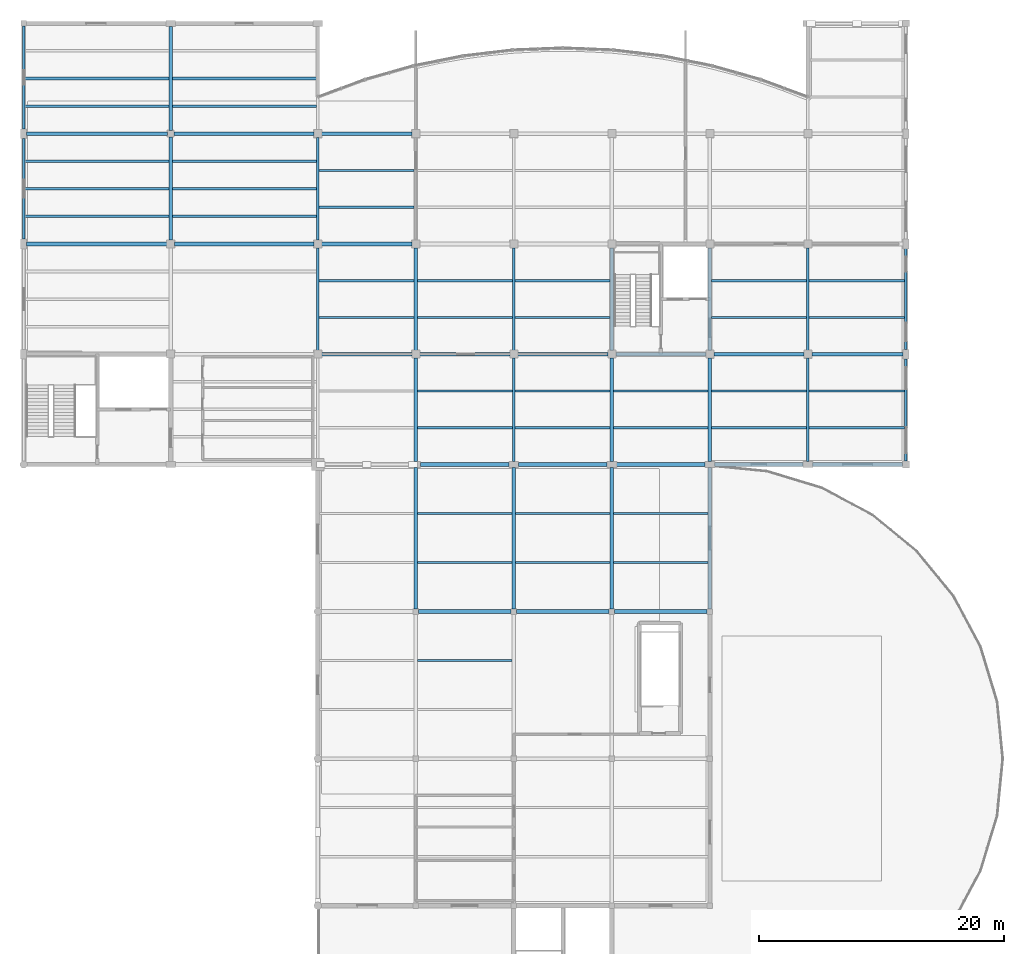
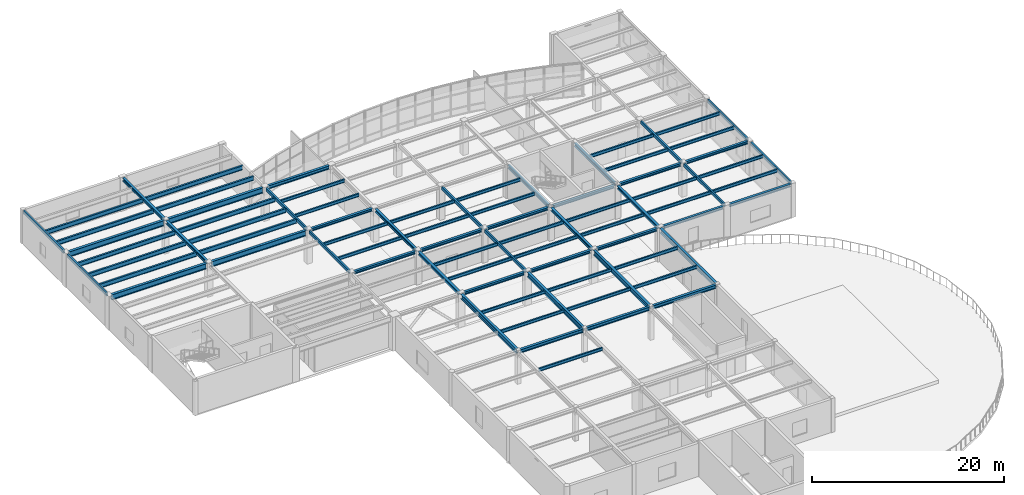
# One storey, part 2 of 16: 81 beams.
"""IFC4 building model written with IfcOpenShell, lengths in metres."""

from ifc_helpers import new_model, si_unit, direction, frame, origin, origin_2d, place, context, subcontext, project, spatial, hollow_rectangle, i_section, extrude, material, material_profile, profile_set, type_object, element, save


model = new_model("IFC4")

# Units and contexts
model_context = context("Model", 3, precision=1e-05, world=origin(), true_north=direction((0.0, 1.0)))
body_context = subcontext(model_context, "Body", "Model", "MODEL_VIEW")
ifc_project = project(units=[si_unit("LENGTHUNIT", "METRE"), si_unit("AREAUNIT", "SQUARE_METRE"), si_unit("VOLUMEUNIT", "CUBIC_METRE"), si_unit("PLANEANGLEUNIT", "RADIAN"), si_unit("MASSUNIT", "GRAM", prefix="KILO")], contexts=[model_context])

# Site, building, storey
site_placement = place(None, origin())
site = spatial("IfcSite", under=ifc_project, at=site_placement, CompositionType="ELEMENT")
building_placement = place(site_placement, origin())
building = spatial("IfcBuilding", under=site, at=building_placement, Name="Keelwater Ferry Terminal", CompositionType="ELEMENT")
storey_placement = place(building_placement, frame((0.0, 0.0, 15.0)))
storey = spatial("IfcBuildingStorey", under=building, at=storey_placement, Name="L03", CompositionType="ELEMENT", Elevation=15.0)

# Beams
ifc_material_1 = material(Name="Steel S355", Category="steel")
ifc_material_profile_1 = material_profile(ifc_material_1, i_section(OverallWidth=0.300048828125, OverallDepth=0.699951171875, WebThickness=0.01708984375, FlangeThickness=0.031982421875, at=origin_2d()), Name="HEB 700")
ifc_profile_set_1 = profile_set([ifc_material_profile_1], Name="Steel S355")
beam_type_1 = type_object("IfcBeamType", Name="G2 HEB 700", PredefinedType="BEAM", material=ifc_profile_set_1)
beam_1_placement = place(storey_placement, frame((108.2451171875, 117.0, 3.889892578125), z_axis=(1.0, 0.0, 0.0), x_axis=(0.0, 1.0, 0.0)))
element("IfcBeam", 1, at=beam_1_placement, inside=storey, type_object=beam_type_1, Name="Beam BM-L03-1321", PredefinedType="BEAM", context=body_context, shape_type="SweptSolid", body=[
    extrude(i_section(OverallWidth=0.300048828125, OverallDepth=0.699951171875, WebThickness=0.01708984375, FlangeThickness=0.031982421875, at=origin_2d()), origin(), (0.0, 0.0, 1.0), 11.48486328125),
])
beam_2_placement = place(storey_placement, frame((120.27001953125, 117.0, 3.889892578125), z_axis=(1.0, 0.0, 0.0), x_axis=(0.0, 1.0, 0.0)))
element("IfcBeam", 2, at=beam_2_placement, inside=storey, type_object=beam_type_1, Name="Beam BM-L03-1322", PredefinedType="BEAM", context=body_context, shape_type="SweptSolid", body=[
    extrude(i_section(OverallWidth=0.300048828125, OverallDepth=0.699951171875, WebThickness=0.01708984375, FlangeThickness=0.031982421875, at=origin_2d()), origin(), (0.0, 0.0, 1.0), 11.411865234375),
])
ifc_material_2 = material(Name="Steel S355", Category="steel")
ifc_material_profile_2 = material_profile(ifc_material_2, i_section(OverallWidth=0.300048828125, OverallDepth=0.699951171875, WebThickness=0.01708984375, FlangeThickness=0.031982421875, at=origin_2d()), Name="HEB 700")
ifc_profile_set_2 = profile_set([ifc_material_profile_2], Name="Steel S355")
beam_type_2 = type_object("IfcBeamType", Name="G2E HEB 700", PredefinedType="BEAM", material=ifc_profile_set_2)
beam_3_placement = place(storey_placement, frame((108.2451171875, 108.0, 3.889892578125), z_axis=(1.0, 0.0, 0.0), x_axis=(0.0, 1.0, 0.0)))
element("IfcBeam", 3, at=beam_3_placement, inside=storey, type_object=beam_type_2, Name="Beam BM-L03-1313", PredefinedType="BEAM", context=body_context, shape_type="SweptSolid", body=[
    extrude(i_section(OverallWidth=0.300048828125, OverallDepth=0.699951171875, WebThickness=0.01708984375, FlangeThickness=0.031982421875, at=origin_2d()), origin(), (0.0, 0.0, 1.0), 11.436767578125),
])
beam_4_placement = place(storey_placement, frame((120.318115234375, 108.0, 3.889892578125), z_axis=(1.0, 0.0, 0.0), x_axis=(0.0, 1.0, 0.0)))
element("IfcBeam", 4, at=beam_4_placement, inside=storey, type_object=beam_type_2, Name="Beam BM-L03-1314", PredefinedType="BEAM", context=body_context, shape_type="SweptSolid", body=[
    extrude(i_section(OverallWidth=0.300048828125, OverallDepth=0.699951171875, WebThickness=0.01708984375, FlangeThickness=0.031982421875, at=origin_2d()), origin(), (0.0, 0.0, 1.0), 11.36376953125),
])
ifc_material_3 = material(Name="Steel S355", Category="steel")
ifc_material_profile_3 = material_profile(ifc_material_3, i_section(OverallWidth=0.300048828125, OverallDepth=0.60009765625, WebThickness=0.015380859375, FlangeThickness=0.030029296875, at=origin_2d()), Name="HEB 600")
ifc_profile_set_3 = profile_set([ifc_material_profile_3], Name="Steel S355")
beam_type_3 = type_object("IfcBeamType", Name="G3 HEB 600", PredefinedType="BEAM", material=ifc_profile_set_3)
for number, where, z_axis, x_axis, name in (
    (5, (140.0, 78.219970703125, 3.93994140625), (0.0, 1.0, 0.0), (-1.0, 0.0, 0.0), "Beam BM-L03-1349"),
    (6, (156.0, 78.219970703125, 3.93994140625), (0.0, 1.0, 0.0), (-1.0, 0.0, 0.0), "Beam BM-L03-1361"),
    (7, (164.0, 78.219970703125, 3.93994140625), (0.0, 1.0, 0.0), (-1.0, 0.0, 0.0), "Beam BM-L03-1367"),
):
    element("IfcBeam", number, at=place(storey_placement, frame(where, z_axis=z_axis, x_axis=x_axis)), inside=storey, type_object=beam_type_3, Name=name, PredefinedType="BEAM", context=body_context, shape_type="SweptSolid", body=[
        extrude(i_section(OverallWidth=0.300048828125, OverallDepth=0.60009765625, WebThickness=0.015380859375, FlangeThickness=0.030029296875, at=origin_2d()), origin(), (0.0, 0.0, 1.0), 11.534912109375),
    ])
ifc_material_4 = material(Name="Steel S355", Category="steel")
ifc_material_profile_4 = material_profile(ifc_material_4, i_section(OverallWidth=0.300048828125, OverallDepth=0.60009765625, WebThickness=0.015380859375, FlangeThickness=0.030029296875, at=origin_2d()), Name="HEB 600")
ifc_profile_set_4 = profile_set([ifc_material_profile_4], Name="Steel S355")
beam_type_4 = type_object("IfcBeamType", Name="G3E HEB 600", PredefinedType="BEAM", material=ifc_profile_set_4)
beam_5_placement = place(storey_placement, frame((148.0, 78.219970703125, 3.93994140625), z_axis=(0.0, 1.0, 0.0), x_axis=(-1.0, 0.0, 0.0)))
element("IfcBeam", 8, at=beam_5_placement, inside=storey, type_object=beam_type_4, Name="Beam BM-L03-1355", PredefinedType="BEAM", context=body_context, shape_type="SweptSolid", body=[
    extrude(i_section(OverallWidth=0.300048828125, OverallDepth=0.60009765625, WebThickness=0.015380859375, FlangeThickness=0.030029296875, at=origin_2d()), origin(), (0.0, 0.0, 1.0), 11.534912109375),
])
ifc_material_5 = material(Name="Steel S355", Category="steel")
ifc_material_profile_5 = material_profile(ifc_material_5, i_section(OverallWidth=0.300048828125, OverallDepth=0.449951171875, WebThickness=0.013916015625, FlangeThickness=0.02587890625, at=origin_2d()), Name="HEB 450")
ifc_profile_set_5 = profile_set([ifc_material_profile_5], Name="Steel S355")
beam_type_5 = type_object("IfcBeamType", Name="G6 HEB 450", PredefinedType="BEAM", material=ifc_profile_set_5)
for number, where, z_axis, x_axis, name in (
    (9, (140.219970703125, 78.0, 4.014892578125), (1.0, 0.0, 0.0), (0.0, 1.0, 0.0), "Beam BM-L03-1294"),
    (10, (148.219970703125, 78.0, 4.014892578125), (1.0, 0.0, 0.0), (0.0, 1.0, 0.0), "Beam BM-L03-1295"),
    (11, (156.219970703125, 78.0, 4.014892578125), (1.0, 0.0, 0.0), (0.0, 1.0, 0.0), "Beam BM-L03-1296"),
):
    element("IfcBeam", number, at=place(storey_placement, frame(where, z_axis=z_axis, x_axis=x_axis)), inside=storey, type_object=beam_type_5, Name=name, PredefinedType="BEAM", context=body_context, shape_type="SweptSolid", body=[
        extrude(i_section(OverallWidth=0.300048828125, OverallDepth=0.449951171875, WebThickness=0.013916015625, FlangeThickness=0.02587890625, at=origin_2d()), origin(), (0.0, 0.0, 1.0), 7.56005859375),
    ])
beam_6_placement = place(storey_placement, frame((132.318115234375, 117.0, 4.014892578125), z_axis=(1.0, 0.0, 0.0), x_axis=(0.0, 1.0, 0.0)))
element("IfcBeam", 12, at=beam_6_placement, inside=storey, type_object=beam_type_5, Name="Beam BM-L03-1323", PredefinedType="BEAM", context=body_context, shape_type="SweptSolid", body=[
    extrude(i_section(OverallWidth=0.300048828125, OverallDepth=0.449951171875, WebThickness=0.013916015625, FlangeThickness=0.02587890625, at=origin_2d()), origin(), (0.0, 0.0, 1.0), 7.36376953125),
])
ifc_material_6 = material(Name="Steel S355", Category="steel")
ifc_material_profile_6 = material_profile(ifc_material_6, i_section(OverallWidth=0.300048828125, OverallDepth=0.39990234375, WebThickness=0.013427734375, FlangeThickness=0.02392578125, at=origin_2d()), Name="HEB 400")
ifc_profile_set_6 = profile_set([ifc_material_profile_6], Name="Steel S355")
beam_type_6 = type_object("IfcBeamType", Name="G7 HEB 400", PredefinedType="BEAM", material=ifc_profile_set_6)
beam_7_placement = place(storey_placement, frame((120.0, 108.318115234375, 4.0400390625), z_axis=(0.0, 1.0, 0.0), x_axis=(-1.0, 0.0, 0.0)))
element("IfcBeam", 13, at=beam_7_placement, inside=storey, type_object=beam_type_6, Name="Beam BM-L03-1338", PredefinedType="BEAM", context=body_context, shape_type="SweptSolid", body=[
    extrude(i_section(OverallWidth=0.300048828125, OverallDepth=0.39990234375, WebThickness=0.013427734375, FlangeThickness=0.02392578125, at=origin_2d()), origin(), (0.0, 0.0, 1.0), 8.411865234375),
])
beam_8_placement = place(storey_placement, frame((120.0, 117.27001953125, 4.0400390625), z_axis=(0.0, 1.0, 0.0), x_axis=(-1.0, 0.0, 0.0)))
element("IfcBeam", 14, at=beam_8_placement, inside=storey, type_object=beam_type_6, Name="Beam BM-L03-1339", PredefinedType="BEAM", context=body_context, shape_type="SweptSolid", body=[
    extrude(i_section(OverallWidth=0.300048828125, OverallDepth=0.39990234375, WebThickness=0.013427734375, FlangeThickness=0.02392578125, at=origin_2d()), origin(), (0.0, 0.0, 1.0), 8.48486328125),
])
beam_9_placement = place(storey_placement, frame((140.0, 90.2451171875, 4.0400390625), z_axis=(0.0, 1.0, 0.0), x_axis=(-1.0, 0.0, 0.0)))
element("IfcBeam", 15, at=beam_9_placement, inside=storey, type_object=beam_type_6, Name="Beam BM-L03-1350", PredefinedType="BEAM", context=body_context, shape_type="SweptSolid", body=[
    extrude(i_section(OverallWidth=0.300048828125, OverallDepth=0.39990234375, WebThickness=0.013427734375, FlangeThickness=0.02392578125, at=origin_2d()), origin(), (0.0, 0.0, 1.0), 8.436767578125),
])
beam_10_placement = place(storey_placement, frame((140.0, 99.318115234375, 4.0400390625), z_axis=(0.0, 1.0, 0.0), x_axis=(-1.0, 0.0, 0.0)))
element("IfcBeam", 16, at=beam_10_placement, inside=storey, type_object=beam_type_6, Name="Beam BM-L03-1351", PredefinedType="BEAM", context=body_context, shape_type="SweptSolid", body=[
    extrude(i_section(OverallWidth=0.300048828125, OverallDepth=0.39990234375, WebThickness=0.013427734375, FlangeThickness=0.02392578125, at=origin_2d()), origin(), (0.0, 0.0, 1.0), 8.36376953125),
])
beam_11_placement = place(storey_placement, frame((156.0, 90.2451171875, 4.0400390625), z_axis=(0.0, 1.0, 0.0), x_axis=(-1.0, 0.0, 0.0)))
element("IfcBeam", 17, at=beam_11_placement, inside=storey, type_object=beam_type_6, Name="Beam BM-L03-1362", PredefinedType="BEAM", context=body_context, shape_type="SweptSolid", body=[
    extrude(i_section(OverallWidth=0.300048828125, OverallDepth=0.39990234375, WebThickness=0.013427734375, FlangeThickness=0.02392578125, at=origin_2d()), origin(), (0.0, 0.0, 1.0), 8.436767578125),
])
beam_12_placement = place(storey_placement, frame((156.0, 99.318115234375, 4.0400390625), z_axis=(0.0, 1.0, 0.0), x_axis=(-1.0, 0.0, 0.0)))
element("IfcBeam", 18, at=beam_12_placement, inside=storey, type_object=beam_type_6, Name="Beam BM-L03-1363", PredefinedType="BEAM", context=body_context, shape_type="SweptSolid", body=[
    extrude(i_section(OverallWidth=0.300048828125, OverallDepth=0.39990234375, WebThickness=0.013427734375, FlangeThickness=0.02392578125, at=origin_2d()), origin(), (0.0, 0.0, 1.0), 8.36376953125),
])
beam_13_placement = place(storey_placement, frame((164.0, 90.2451171875, 4.0400390625), z_axis=(0.0, 1.0, 0.0), x_axis=(-1.0, 0.0, 0.0)))
element("IfcBeam", 19, at=beam_13_placement, inside=storey, type_object=beam_type_6, Name="Beam BM-L03-1368", PredefinedType="BEAM", context=body_context, shape_type="SweptSolid", body=[
    extrude(i_section(OverallWidth=0.300048828125, OverallDepth=0.39990234375, WebThickness=0.013427734375, FlangeThickness=0.02392578125, at=origin_2d()), origin(), (0.0, 0.0, 1.0), 8.436767578125),
])
beam_14_placement = place(storey_placement, frame((164.0, 99.318115234375, 4.0400390625), z_axis=(0.0, 1.0, 0.0), x_axis=(-1.0, 0.0, 0.0)))
element("IfcBeam", 20, at=beam_14_placement, inside=storey, type_object=beam_type_6, Name="Beam BM-L03-1369", PredefinedType="BEAM", context=body_context, shape_type="SweptSolid", body=[
    extrude(i_section(OverallWidth=0.300048828125, OverallDepth=0.39990234375, WebThickness=0.013427734375, FlangeThickness=0.02392578125, at=origin_2d()), origin(), (0.0, 0.0, 1.0), 8.36376953125),
])
ifc_material_7 = material(Name="Steel S355", Category="steel")
ifc_material_profile_7 = material_profile(ifc_material_7, i_section(OverallWidth=0.2099609375, OverallDepth=0.550048828125, WebThickness=0.010986328125, FlangeThickness=0.01708984375, at=origin_2d()), Name="IPE 550")
ifc_profile_set_7 = profile_set([ifc_material_profile_7], Name="Steel S355")
beam_type_7 = type_object("IfcBeamType", Name="J2 IPE 550", PredefinedType="JOIST", material=ifc_profile_set_7)
for number, where, z_axis, x_axis, name in (
    (21, (108.10009765625, 110.25, 3.965087890625), (1.0, 0.0, 0.0), (0.0, 1.0, 0.0), "Beam BM-L03-1382"),
    (22, (108.10009765625, 112.5, 3.965087890625), (1.0, 0.0, 0.0), (0.0, 1.0, 0.0), "Beam BM-L03-1383"),
    (23, (108.10009765625, 114.75, 3.965087890625), (1.0, 0.0, 0.0), (0.0, 1.0, 0.0), "Beam BM-L03-1384"),
    (24, (108.10009765625, 119.25, 3.965087890625), (1.0, 0.0, 0.0), (0.0, 1.0, 0.0), "Beam BM-L03-1385"),
    (25, (108.10009765625, 121.5, 3.965087890625), (1.0, 0.0, 0.0), (0.0, 1.0, 0.0), "Beam BM-L03-1386"),
    (26, (120.14990234375, 110.25, 3.965087890625), (1.0, 0.0, 0.0), (0.0, 1.0, 0.0), "Beam BM-L03-1392"),
    (27, (120.14990234375, 112.5, 3.965087890625), (1.0, 0.0, 0.0), (0.0, 1.0, 0.0), "Beam BM-L03-1393"),
    (28, (120.14990234375, 114.75, 3.965087890625), (1.0, 0.0, 0.0), (0.0, 1.0, 0.0), "Beam BM-L03-1394"),
    (29, (120.14990234375, 119.25, 3.965087890625), (1.0, 0.0, 0.0), (0.0, 1.0, 0.0), "Beam BM-L03-1395"),
    (30, (120.14990234375, 121.5, 3.965087890625), (1.0, 0.0, 0.0), (0.0, 1.0, 0.0), "Beam BM-L03-1396"),
):
    element("IfcBeam", number, at=place(storey_placement, frame(where, z_axis=z_axis, x_axis=x_axis)), inside=storey, type_object=beam_type_7, Name=name, PredefinedType="JOIST", context=body_context, shape_type="SweptSolid", body=[
        extrude(i_section(OverallWidth=0.2099609375, OverallDepth=0.550048828125, WebThickness=0.010986328125, FlangeThickness=0.01708984375, at=origin_2d()), origin(), (0.0, 0.0, 1.0), 11.75),
    ])
ifc_material_8 = material(Name="Steel S355", Category="steel")
ifc_material_profile_8 = material_profile(ifc_material_8, i_section(OverallWidth=0.179931640625, OverallDepth=0.39990234375, WebThickness=0.008544921875, FlangeThickness=0.013427734375, at=origin_2d()), Name="IPE 400")
ifc_profile_set_8 = profile_set([ifc_material_profile_8], Name="Steel S355")
beam_type_8 = type_object("IfcBeamType", Name="J5 IPE 400", PredefinedType="JOIST", material=ifc_profile_set_8)
for number, where, z_axis, x_axis, name in (
    (31, (132.10009765625, 102.0, 4.0400390625), (1.0, 0.0, 0.0), (0.0, 1.0, 0.0), "Beam BM-L03-1406"),
    (32, (132.10009765625, 105.0, 4.0400390625), (1.0, 0.0, 0.0), (0.0, 1.0, 0.0), "Beam BM-L03-1407"),
    (33, (132.10009765625, 111.0, 4.0400390625), (1.0, 0.0, 0.0), (0.0, 1.0, 0.0), "Beam BM-L03-1408"),
    (34, (132.10009765625, 114.0, 4.0400390625), (1.0, 0.0, 0.0), (0.0, 1.0, 0.0), "Beam BM-L03-1409"),
):
    element("IfcBeam", number, at=place(storey_placement, frame(where, z_axis=z_axis, x_axis=x_axis)), inside=storey, type_object=beam_type_8, Name=name, PredefinedType="JOIST", context=body_context, shape_type="SweptSolid", body=[
        extrude(i_section(OverallWidth=0.179931640625, OverallDepth=0.39990234375, WebThickness=0.008544921875, FlangeThickness=0.013427734375, at=origin_2d()), origin(), (0.0, 0.0, 1.0), 7.75),
    ])
for number, where, z_axis, x_axis, name in (
    (35, (140.14990234375, 74.0, 4.0400390625), (1.0, 0.0, 0.0), (0.0, 1.0, 0.0), "Beam BM-L03-1413"),
    (36, (140.14990234375, 82.0, 4.0400390625), (1.0, 0.0, 0.0), (0.0, 1.0, 0.0), "Beam BM-L03-1414"),
    (37, (140.14990234375, 86.0, 4.0400390625), (1.0, 0.0, 0.0), (0.0, 1.0, 0.0), "Beam BM-L03-1415"),
):
    element("IfcBeam", number, at=place(storey_placement, frame(where, z_axis=z_axis, x_axis=x_axis)), inside=storey, type_object=beam_type_8, Name=name, PredefinedType="JOIST", context=body_context, shape_type="SweptSolid", body=[
        extrude(i_section(OverallWidth=0.179931640625, OverallDepth=0.39990234375, WebThickness=0.008544921875, FlangeThickness=0.013427734375, at=origin_2d()), origin(), (0.0, 0.0, 1.0), 7.7001953125),
    ])
for number, where, z_axis, x_axis, name in (
    (38, (140.14990234375, 93.0, 4.0400390625), (1.0, 0.0, 0.0), (0.0, 1.0, 0.0), "Beam BM-L03-1416"),
    (39, (140.14990234375, 96.0, 4.0400390625), (1.0, 0.0, 0.0), (0.0, 1.0, 0.0), "Beam BM-L03-1417"),
    (40, (140.14990234375, 102.0, 4.0400390625), (1.0, 0.0, 0.0), (0.0, 1.0, 0.0), "Beam BM-L03-1418"),
    (41, (140.14990234375, 105.0, 4.0400390625), (1.0, 0.0, 0.0), (0.0, 1.0, 0.0), "Beam BM-L03-1419"),
):
    element("IfcBeam", number, at=place(storey_placement, frame(where, z_axis=z_axis, x_axis=x_axis)), inside=storey, type_object=beam_type_8, Name=name, PredefinedType="JOIST", context=body_context, shape_type="SweptSolid", body=[
        extrude(i_section(OverallWidth=0.179931640625, OverallDepth=0.39990234375, WebThickness=0.008544921875, FlangeThickness=0.013427734375, at=origin_2d()), origin(), (0.0, 0.0, 1.0), 7.75),
    ])
for number, where, z_axis, x_axis, name in (
    (42, (148.14990234375, 82.0, 4.0400390625), (1.0, 0.0, 0.0), (0.0, 1.0, 0.0), "Beam BM-L03-1424"),
    (43, (148.14990234375, 86.0, 4.0400390625), (1.0, 0.0, 0.0), (0.0, 1.0, 0.0), "Beam BM-L03-1425"),
):
    element("IfcBeam", number, at=place(storey_placement, frame(where, z_axis=z_axis, x_axis=x_axis)), inside=storey, type_object=beam_type_8, Name=name, PredefinedType="JOIST", context=body_context, shape_type="SweptSolid", body=[
        extrude(i_section(OverallWidth=0.179931640625, OverallDepth=0.39990234375, WebThickness=0.008544921875, FlangeThickness=0.013427734375, at=origin_2d()), origin(), (0.0, 0.0, 1.0), 7.7001953125),
    ])
for number, where, z_axis, x_axis, name in (
    (44, (148.10009765625, 93.0, 4.0400390625), (1.0, 0.0, 0.0), (0.0, 1.0, 0.0), "Beam BM-L03-1426"),
    (45, (148.10009765625, 96.0, 4.0400390625), (1.0, 0.0, 0.0), (0.0, 1.0, 0.0), "Beam BM-L03-1427"),
    (46, (148.10009765625, 102.0, 4.0400390625), (1.0, 0.0, 0.0), (0.0, 1.0, 0.0), "Beam BM-L03-1428"),
    (47, (148.10009765625, 105.0, 4.0400390625), (1.0, 0.0, 0.0), (0.0, 1.0, 0.0), "Beam BM-L03-1429"),
):
    element("IfcBeam", number, at=place(storey_placement, frame(where, z_axis=z_axis, x_axis=x_axis)), inside=storey, type_object=beam_type_8, Name=name, PredefinedType="JOIST", context=body_context, shape_type="SweptSolid", body=[
        extrude(i_section(OverallWidth=0.179931640625, OverallDepth=0.39990234375, WebThickness=0.008544921875, FlangeThickness=0.013427734375, at=origin_2d()), origin(), (0.0, 0.0, 1.0), 7.75),
    ])
for number, where, z_axis, x_axis, name in (
    (48, (156.14990234375, 82.0, 4.0400390625), (1.0, 0.0, 0.0), (0.0, 1.0, 0.0), "Beam BM-L03-1434"),
    (49, (156.14990234375, 86.0, 4.0400390625), (1.0, 0.0, 0.0), (0.0, 1.0, 0.0), "Beam BM-L03-1435"),
    (50, (156.14990234375, 93.0, 4.0400390625), (1.0, 0.0, 0.0), (0.0, 1.0, 0.0), "Beam BM-L03-1436"),
    (51, (156.14990234375, 96.0, 4.0400390625), (1.0, 0.0, 0.0), (0.0, 1.0, 0.0), "Beam BM-L03-1437"),
):
    element("IfcBeam", number, at=place(storey_placement, frame(where, z_axis=z_axis, x_axis=x_axis)), inside=storey, type_object=beam_type_8, Name=name, PredefinedType="JOIST", context=body_context, shape_type="SweptSolid", body=[
        extrude(i_section(OverallWidth=0.179931640625, OverallDepth=0.39990234375, WebThickness=0.008544921875, FlangeThickness=0.013427734375, at=origin_2d()), origin(), (0.0, 0.0, 1.0), 7.7001953125),
    ])
for number, where, z_axis, x_axis, name in (
    (52, (164.14990234375, 93.0, 4.0400390625), (1.0, 0.0, 0.0), (0.0, 1.0, 0.0), "Beam BM-L03-1440"),
    (53, (164.14990234375, 96.0, 4.0400390625), (1.0, 0.0, 0.0), (0.0, 1.0, 0.0), "Beam BM-L03-1441"),
    (54, (164.14990234375, 102.0, 4.0400390625), (1.0, 0.0, 0.0), (0.0, 1.0, 0.0), "Beam BM-L03-1442"),
    (55, (164.14990234375, 105.0, 4.0400390625), (1.0, 0.0, 0.0), (0.0, 1.0, 0.0), "Beam BM-L03-1443"),
):
    element("IfcBeam", number, at=place(storey_placement, frame(where, z_axis=z_axis, x_axis=x_axis)), inside=storey, type_object=beam_type_8, Name=name, PredefinedType="JOIST", context=body_context, shape_type="SweptSolid", body=[
        extrude(i_section(OverallWidth=0.179931640625, OverallDepth=0.39990234375, WebThickness=0.008544921875, FlangeThickness=0.013427734375, at=origin_2d()), origin(), (0.0, 0.0, 1.0), 7.75),
    ])
for number, where, z_axis, x_axis, name in (
    (56, (172.10009765625, 93.0, 4.0400390625), (1.0, 0.0, 0.0), (0.0, 1.0, 0.0), "Beam BM-L03-1446"),
    (57, (172.10009765625, 96.0, 4.0400390625), (1.0, 0.0, 0.0), (0.0, 1.0, 0.0), "Beam BM-L03-1447"),
    (58, (172.10009765625, 102.0, 4.0400390625), (1.0, 0.0, 0.0), (0.0, 1.0, 0.0), "Beam BM-L03-1448"),
    (59, (172.10009765625, 105.0, 4.0400390625), (1.0, 0.0, 0.0), (0.0, 1.0, 0.0), "Beam BM-L03-1449"),
):
    element("IfcBeam", number, at=place(storey_placement, frame(where, z_axis=z_axis, x_axis=x_axis)), inside=storey, type_object=beam_type_8, Name=name, PredefinedType="JOIST", context=body_context, shape_type="SweptSolid", body=[
        extrude(i_section(OverallWidth=0.179931640625, OverallDepth=0.39990234375, WebThickness=0.008544921875, FlangeThickness=0.013427734375, at=origin_2d()), origin(), (0.0, 0.0, 1.0), 7.7998046875),
    ])
ifc_material_9 = material(Name="Steel S355", Category="steel")
ifc_material_profile_9 = material_profile(ifc_material_9, i_section(OverallWidth=0.300048828125, OverallDepth=0.35009765625, WebThickness=0.010009765625, FlangeThickness=0.017578125, at=origin_2d()), Name="HEA 360")
ifc_profile_set_9 = profile_set([ifc_material_profile_9], Name="Steel S355")
beam_type_9 = type_object("IfcBeamType", Name="SP1E HEA 360", PredefinedType="SPANDREL", material=ifc_profile_set_9)
for number, where, z_axis, x_axis, name in (
    (60, (140.39208984375, 90.0, 4.06494140625), (1.0, 0.0, 0.0), (0.0, 1.0, 0.0), "Beam BM-L03-1300"),
    (61, (148.39208984375, 90.0, 4.06494140625), (1.0, 0.0, 0.0), (0.0, 1.0, 0.0), "Beam BM-L03-1301"),
    (62, (156.39208984375, 90.0, 4.06494140625), (1.0, 0.0, 0.0), (0.0, 1.0, 0.0), "Beam BM-L03-1302"),
    (63, (164.39208984375, 90.0, 4.06494140625), (1.0, 0.0, 0.0), (0.0, 1.0, 0.0), "Beam BM-L03-1303"),
):
    element("IfcBeam", number, at=place(storey_placement, frame(where, z_axis=z_axis, x_axis=x_axis)), inside=storey, type_object=beam_type_9, Name=name, PredefinedType="SPANDREL", context=body_context, shape_type="SweptSolid", body=[
        extrude(i_section(OverallWidth=0.300048828125, OverallDepth=0.35009765625, WebThickness=0.010009765625, FlangeThickness=0.017578125, at=origin_2d()), origin(), (0.0, 0.0, 1.0), 7.2158203125),
    ])
beam_15_placement = place(storey_placement, frame((172.39208984375, 90.0, 4.06494140625), z_axis=(1.0, 0.0, 0.0), x_axis=(0.0, 1.0, 0.0)))
element("IfcBeam", 64, at=beam_15_placement, inside=storey, type_object=beam_type_9, Name="Beam BM-L03-1304", PredefinedType="SPANDREL", context=body_context, shape_type="SweptSolid", body=[
    extrude(i_section(OverallWidth=0.300048828125, OverallDepth=0.35009765625, WebThickness=0.010009765625, FlangeThickness=0.017578125, at=origin_2d()), origin(), (0.0, 0.0, 1.0), 7.337890625),
])
for number, where, z_axis, x_axis, name in (
    (65, (132.318115234375, 99.0, 4.06494140625), (1.0, 0.0, 0.0), (0.0, 1.0, 0.0), "Beam BM-L03-1307"),
    (66, (140.318115234375, 99.0, 4.06494140625), (1.0, 0.0, 0.0), (0.0, 1.0, 0.0), "Beam BM-L03-1308"),
    (67, (148.318115234375, 99.0, 4.06494140625), (1.0, 0.0, 0.0), (0.0, 1.0, 0.0), "Beam BM-L03-1309"),
    (68, (156.318115234375, 99.0, 4.06494140625), (1.0, 0.0, 0.0), (0.0, 1.0, 0.0), "Beam BM-L03-1310"),
    (69, (164.318115234375, 99.0, 4.06494140625), (1.0, 0.0, 0.0), (0.0, 1.0, 0.0), "Beam BM-L03-1311"),
):
    element("IfcBeam", number, at=place(storey_placement, frame(where, z_axis=z_axis, x_axis=x_axis)), inside=storey, type_object=beam_type_9, Name=name, PredefinedType="SPANDREL", context=body_context, shape_type="SweptSolid", body=[
        extrude(i_section(OverallWidth=0.300048828125, OverallDepth=0.35009765625, WebThickness=0.010009765625, FlangeThickness=0.017578125, at=origin_2d()), origin(), (0.0, 0.0, 1.0), 7.36376953125),
    ])
beam_16_placement = place(storey_placement, frame((172.318115234375, 99.0, 4.06494140625), z_axis=(1.0, 0.0, 0.0), x_axis=(0.0, 1.0, 0.0)))
element("IfcBeam", 70, at=beam_16_placement, inside=storey, type_object=beam_type_9, Name="Beam BM-L03-1312", PredefinedType="SPANDREL", context=body_context, shape_type="SweptSolid", body=[
    extrude(i_section(OverallWidth=0.300048828125, OverallDepth=0.35009765625, WebThickness=0.010009765625, FlangeThickness=0.017578125, at=origin_2d()), origin(), (0.0, 0.0, 1.0), 7.436767578125),
])
beam_17_placement = place(storey_placement, frame((132.318115234375, 108.0, 4.06494140625), z_axis=(1.0, 0.0, 0.0), x_axis=(0.0, 1.0, 0.0)))
element("IfcBeam", 71, at=beam_17_placement, inside=storey, type_object=beam_type_9, Name="Beam BM-L03-1315", PredefinedType="SPANDREL", context=body_context, shape_type="SweptSolid", body=[
    extrude(i_section(OverallWidth=0.300048828125, OverallDepth=0.35009765625, WebThickness=0.010009765625, FlangeThickness=0.017578125, at=origin_2d()), origin(), (0.0, 0.0, 1.0), 7.36376953125),
])
ifc_material_10 = material(Name="Steel S355", Category="steel")
ifc_material_profile_10 = material_profile(ifc_material_10, hollow_rectangle(XDim=0.199951171875, YDim=0.39990234375, WallThickness=0.01611328125, at=origin_2d()), Name="RHS 400x200x16")
ifc_profile_set_10 = profile_set([ifc_material_profile_10], Name="Steel S355")
beam_type_10 = type_object("IfcBeamType", Name="SP3E RHS 400x200x16", PredefinedType="SPANDREL", material=ifc_profile_set_10)
beam_18_placement = place(storey_placement, frame((108.0, 108.39208984375, 4.0400390625), z_axis=(0.0, 1.0, 0.0), x_axis=(-1.0, 0.0, 0.0)))
element("IfcBeam", 72, at=beam_18_placement, inside=storey, type_object=beam_type_10, Name="Beam BM-L03-1334", PredefinedType="SPANDREL", context=body_context, shape_type="SweptSolid", body=[
    extrude(hollow_rectangle(XDim=0.199951171875, YDim=0.39990234375, WallThickness=0.01611328125, at=origin_2d()), origin(), (0.0, 0.0, 1.0), 8.2158203125),
])
beam_19_placement = place(storey_placement, frame((108.0, 117.39208984375, 4.0400390625), z_axis=(0.0, 1.0, 0.0), x_axis=(-1.0, 0.0, 0.0)))
element("IfcBeam", 73, at=beam_19_placement, inside=storey, type_object=beam_type_10, Name="Beam BM-L03-1335", PredefinedType="SPANDREL", context=body_context, shape_type="SweptSolid", body=[
    extrude(hollow_rectangle(XDim=0.199951171875, YDim=0.39990234375, WallThickness=0.01611328125, at=origin_2d()), origin(), (0.0, 0.0, 1.0), 8.387939453125),
])
for number, where, z_axis, x_axis, name in (
    (74, (132.0, 99.318115234375, 4.0400390625), (0.0, 1.0, 0.0), (-1.0, 0.0, 0.0), "Beam BM-L03-1344"),
    (75, (132.0, 108.318115234375, 4.0400390625), (0.0, 1.0, 0.0), (-1.0, 0.0, 0.0), "Beam BM-L03-1345"),
):
    element("IfcBeam", number, at=place(storey_placement, frame(where, z_axis=z_axis, x_axis=x_axis)), inside=storey, type_object=beam_type_10, Name=name, PredefinedType="SPANDREL", context=body_context, shape_type="SweptSolid", body=[
        extrude(hollow_rectangle(XDim=0.199951171875, YDim=0.39990234375, WallThickness=0.01611328125, at=origin_2d()), origin(), (0.0, 0.0, 1.0), 8.36376953125),
    ])
beam_20_placement = place(storey_placement, frame((148.0, 90.2451171875, 4.0400390625), z_axis=(0.0, 1.0, 0.0), x_axis=(-1.0, 0.0, 0.0)))
element("IfcBeam", 76, at=beam_20_placement, inside=storey, type_object=beam_type_10, Name="Beam BM-L03-1356", PredefinedType="SPANDREL", context=body_context, shape_type="SweptSolid", body=[
    extrude(hollow_rectangle(XDim=0.199951171875, YDim=0.39990234375, WallThickness=0.01611328125, at=origin_2d()), origin(), (0.0, 0.0, 1.0), 8.436767578125),
])
beam_21_placement = place(storey_placement, frame((148.0, 99.318115234375, 4.0400390625), z_axis=(0.0, 1.0, 0.0), x_axis=(-1.0, 0.0, 0.0)))
element("IfcBeam", 77, at=beam_21_placement, inside=storey, type_object=beam_type_10, Name="Beam BM-L03-1357", PredefinedType="SPANDREL", context=body_context, shape_type="SweptSolid", body=[
    extrude(hollow_rectangle(XDim=0.199951171875, YDim=0.39990234375, WallThickness=0.01611328125, at=origin_2d()), origin(), (0.0, 0.0, 1.0), 8.36376953125),
])
beam_22_placement = place(storey_placement, frame((172.0, 90.2451171875, 4.0400390625), z_axis=(0.0, 1.0, 0.0), x_axis=(-1.0, 0.0, 0.0)))
element("IfcBeam", 78, at=beam_22_placement, inside=storey, type_object=beam_type_10, Name="Beam BM-L03-1371", PredefinedType="SPANDREL", context=body_context, shape_type="SweptSolid", body=[
    extrude(hollow_rectangle(XDim=0.199951171875, YDim=0.39990234375, WallThickness=0.01611328125, at=origin_2d()), origin(), (0.0, 0.0, 1.0), 8.436767578125),
])
beam_23_placement = place(storey_placement, frame((172.0, 99.318115234375, 4.0400390625), z_axis=(0.0, 1.0, 0.0), x_axis=(-1.0, 0.0, 0.0)))
element("IfcBeam", 79, at=beam_23_placement, inside=storey, type_object=beam_type_10, Name="Beam BM-L03-1372", PredefinedType="SPANDREL", context=body_context, shape_type="SweptSolid", body=[
    extrude(hollow_rectangle(XDim=0.199951171875, YDim=0.39990234375, WallThickness=0.01611328125, at=origin_2d()), origin(), (0.0, 0.0, 1.0), 8.36376953125),
])
beam_24_placement = place(storey_placement, frame((180.0, 90.27001953125, 4.0400390625), z_axis=(0.0, 1.0, 0.0), x_axis=(-1.0, 0.0, 0.0)))
element("IfcBeam", 80, at=beam_24_placement, inside=storey, type_object=beam_type_10, Name="Beam BM-L03-1375", PredefinedType="SPANDREL", context=body_context, shape_type="SweptSolid", body=[
    extrude(hollow_rectangle(XDim=0.199951171875, YDim=0.39990234375, WallThickness=0.01611328125, at=origin_2d()), origin(), (0.0, 0.0, 1.0), 8.337890625),
])
beam_25_placement = place(storey_placement, frame((180.0, 99.39208984375, 4.0400390625), z_axis=(0.0, 1.0, 0.0), x_axis=(-1.0, 0.0, 0.0)))
element("IfcBeam", 81, at=beam_25_placement, inside=storey, type_object=beam_type_10, Name="Beam BM-L03-1376", PredefinedType="SPANDREL", context=body_context, shape_type="SweptSolid", body=[
    extrude(hollow_rectangle(XDim=0.199951171875, YDim=0.39990234375, WallThickness=0.01611328125, at=origin_2d()), origin(), (0.0, 0.0, 1.0), 8.2158203125),
])

save(model, "model.ifc")
